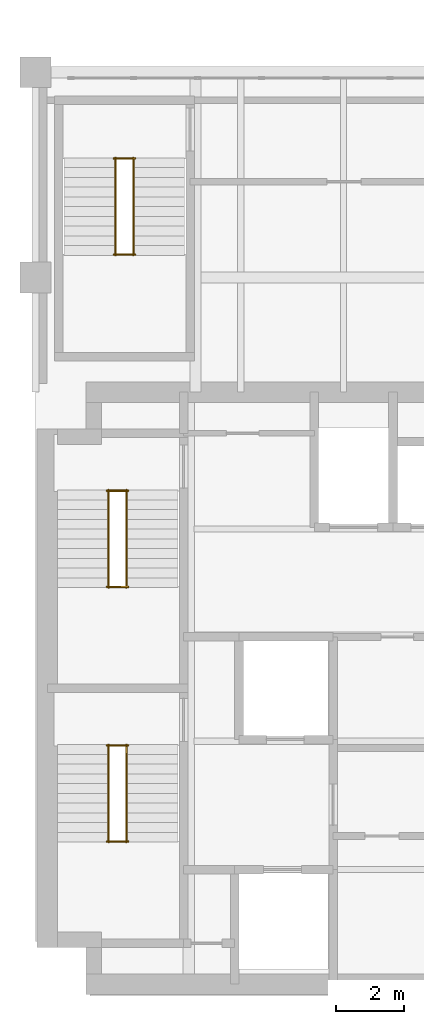
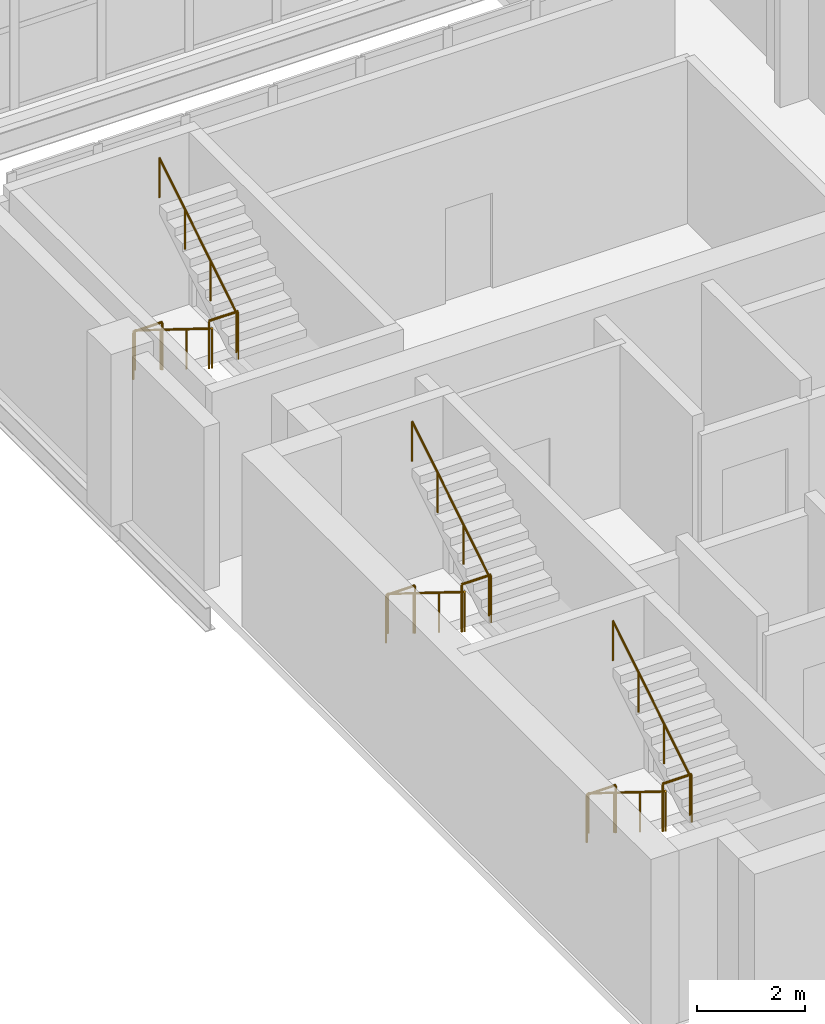
# One storey, part 9 of 9: 12 railings.
"""IFC4 building model written with IfcOpenShell, lengths in metres."""

from ifc_helpers import new_model, si_unit, direction, frame, origin, origin_2d, place, context, subcontext, project, spatial, circle, extrude, material, type_object, element, save


model = new_model("IFC4")

# Units and contexts
model_context = context("Model", 3, precision=1e-05, world=origin(), true_north=direction((0.0, 1.0)))
body_context = subcontext(model_context, "Body", "Model", "MODEL_VIEW")
ifc_project = project(units=[si_unit("LENGTHUNIT", "METRE"), si_unit("AREAUNIT", "SQUARE_METRE"), si_unit("VOLUMEUNIT", "CUBIC_METRE"), si_unit("PLANEANGLEUNIT", "RADIAN"), si_unit("MASSUNIT", "GRAM", prefix="KILO")], contexts=[model_context])

# Site, building, storey
site_placement = place(None, origin())
site = spatial("IfcSite", under=ifc_project, at=site_placement, CompositionType="ELEMENT")
building_placement = place(site_placement, origin())
building = spatial("IfcBuilding", under=site, at=building_placement, Name="Mawjdan Bourse Tower", CompositionType="ELEMENT")
storey_placement = place(building_placement, frame((0.0, 0.0, 195.60009765625)))
storey = spatial("IfcBuildingStorey", under=building, at=storey_placement, Name="L47", CompositionType="ELEMENT", Elevation=195.60009765625)

# Railings
ifc_material_1 = material(Name="Structural Steel S355", Category="steel")
railing_type_1 = type_object("IfcRailingType", Name="RLG-GRD-1100", PredefinedType="GUARDRAIL", material=ifc_material_1)
for number, where, name in (
    (1, (8.090087890625, 7.52001953125, 1.949951171875), "L47 ST1 Landing Guardrail GL-MID"),
    (2, (8.090087890625, 10.330078125, 0.0), "L47 ST1 Landing Guardrail GL-BOT"),
    (3, (8.090087890625, 14.9599609375, 1.949951171875), "L47 ST2 Landing Guardrail GL-MID"),
    (4, (8.090087890625, 17.77001953125, 0.0), "L47 ST2 Landing Guardrail GL-BOT"),
    (5, (8.2900390625, 24.669921875, 1.949951171875), "L47 ST3 Landing Guardrail GL-MID"),
    (6, (8.2900390625, 27.47998046875, 0.0), "L47 ST3 Landing Guardrail GL-BOT"),
):
    element("IfcRailing", number, at=place(storey_placement, frame(where)), inside=storey, type_object=railing_type_1, Name=name, PredefinedType="GUARDRAIL", context=body_context, shape_type="SweptSolid", body=[
        extrude(circle(Radius=0.02490234375, at=origin_2d()), frame((0.0, 0.0, 1.0751953125), z_axis=(1.0, 0.0, 0.0), x_axis=(0.0, 1.0, 0.0)), (0.0, 0.0, 1.0), 0.619873046875),
        extrude(circle(Radius=0.02099609375, at=origin_2d()), origin(), (0.0, 0.0, 1.0), 1.050048828125),
        extrude(circle(Radius=0.02099609375, at=origin_2d()), frame((0.619873046875, 0.0, 0.0)), (0.0, 0.0, 1.0), 1.050048828125),
    ])
ifc_material_2 = material(Name="Brushed Stainless Steel", Category="steel")
railing_type_2 = type_object("IfcRailingType", Name="RLG-HND-920", PredefinedType="HANDRAIL", material=ifc_material_2)
railing_1_placement = place(storey_placement, frame((8.139892578125, 10.35009765625, 0.17724609375)))
element("IfcRailing", 7, at=railing_1_placement, inside=storey, type_object=railing_type_2, Name="L47 ST1 Flight Handrail HR1", PredefinedType="HANDRAIL", context=body_context, shape_type="SweptSolid", body=[
    extrude(circle(Radius=0.0224609375, at=origin_2d()), frame((0.0, 0.0, 0.8974609375), z_axis=(0.0, -0.849148672731, 0.528153890072), x_axis=(1.0, 0.0, 0.0)), (0.0, 0.0, 1.0), 3.3564453125),
    extrude(circle(Radius=0.01904296875, at=origin_2d()), origin(), (0.0, 0.0, 1.0), 0.875),
    extrude(circle(Radius=0.01904296875, at=origin_2d()), frame((0.0, -0.949951171875, 0.5908203125)), (0.0, 0.0, 1.0), 0.875),
    extrude(circle(Radius=0.01904296875, at=origin_2d()), frame((0.0, -1.900146484375, 1.181884765625)), (0.0, 0.0, 1.0), 0.875),
    extrude(circle(Radius=0.01904296875, at=origin_2d()), frame((0.0, -2.85009765625, 1.772705078125)), (0.0, 0.0, 1.0), 0.875),
])
railing_2_placement = place(storey_placement, frame((8.659912109375, 7.5, 2.127197265625)))
element("IfcRailing", 8, at=railing_2_placement, inside=storey, type_object=railing_type_2, Name="L47 ST1 Flight Handrail HR2", PredefinedType="HANDRAIL", context=body_context, shape_type="SweptSolid", body=[
    extrude(circle(Radius=0.0224609375, at=origin_2d()), frame((0.0, 0.0, 0.8974609375), z_axis=(0.0, 0.849148672731, 0.528153890072), x_axis=(-1.0, 0.0, 0.0)), (0.0, 0.0, 1.0), 3.3564453125),
    extrude(circle(Radius=0.01904296875, at=origin_2d()), origin(), (0.0, 0.0, 1.0), 0.875),
    extrude(circle(Radius=0.01904296875, at=origin_2d()), frame((0.0, 0.949951171875, 0.5908203125)), (0.0, 0.0, 1.0), 0.875),
    extrude(circle(Radius=0.01904296875, at=origin_2d()), frame((0.0, 1.900146484375, 1.181884765625)), (0.0, 0.0, 1.0), 0.875),
    extrude(circle(Radius=0.01904296875, at=origin_2d()), frame((0.0, 2.85009765625, 1.772705078125)), (0.0, 0.0, 1.0), 0.875),
])
railing_3_placement = place(storey_placement, frame((8.139892578125, 17.7900390625, 0.17724609375)))
element("IfcRailing", 9, at=railing_3_placement, inside=storey, type_object=railing_type_2, Name="L47 ST2 Flight Handrail HR1", PredefinedType="HANDRAIL", context=body_context, shape_type="SweptSolid", body=[
    extrude(circle(Radius=0.0224609375, at=origin_2d()), frame((0.0, 0.0, 0.8974609375), z_axis=(0.0, -0.849148672731, 0.528153890072), x_axis=(1.0, 0.0, 0.0)), (0.0, 0.0, 1.0), 3.3564453125),
    extrude(circle(Radius=0.01904296875, at=origin_2d()), origin(), (0.0, 0.0, 1.0), 0.875),
    extrude(circle(Radius=0.01904296875, at=origin_2d()), frame((0.0, -0.949951171875, 0.5908203125)), (0.0, 0.0, 1.0), 0.875),
    extrude(circle(Radius=0.01904296875, at=origin_2d()), frame((0.0, -1.900146484375, 1.181884765625)), (0.0, 0.0, 1.0), 0.875),
    extrude(circle(Radius=0.01904296875, at=origin_2d()), frame((0.0, -2.85009765625, 1.772705078125)), (0.0, 0.0, 1.0), 0.875),
])
railing_4_placement = place(storey_placement, frame((8.659912109375, 14.93994140625, 2.127197265625)))
element("IfcRailing", 10, at=railing_4_placement, inside=storey, type_object=railing_type_2, Name="L47 ST2 Flight Handrail HR2", PredefinedType="HANDRAIL", context=body_context, shape_type="SweptSolid", body=[
    extrude(circle(Radius=0.0224609375, at=origin_2d()), frame((0.0, 0.0, 0.8974609375), z_axis=(0.0, 0.849148672731, 0.528153890072), x_axis=(-1.0, 0.0, 0.0)), (0.0, 0.0, 1.0), 3.3564453125),
    extrude(circle(Radius=0.01904296875, at=origin_2d()), origin(), (0.0, 0.0, 1.0), 0.875),
    extrude(circle(Radius=0.01904296875, at=origin_2d()), frame((0.0, 0.949951171875, 0.5908203125)), (0.0, 0.0, 1.0), 0.875),
    extrude(circle(Radius=0.01904296875, at=origin_2d()), frame((0.0, 1.900146484375, 1.181884765625)), (0.0, 0.0, 1.0), 0.875),
    extrude(circle(Radius=0.01904296875, at=origin_2d()), frame((0.0, 2.85009765625, 1.772705078125)), (0.0, 0.0, 1.0), 0.875),
])
railing_5_placement = place(storey_placement, frame((8.340087890625, 27.5, 0.17724609375)))
element("IfcRailing", 11, at=railing_5_placement, inside=storey, type_object=railing_type_2, Name="L47 ST3 Flight Handrail HR1", PredefinedType="HANDRAIL", context=body_context, shape_type="SweptSolid", body=[
    extrude(circle(Radius=0.0224609375, at=origin_2d()), frame((0.0, 0.0, 0.8974609375), z_axis=(0.0, -0.849148672731, 0.528153890072), x_axis=(1.0, 0.0, 0.0)), (0.0, 0.0, 1.0), 3.3564453125),
    extrude(circle(Radius=0.01904296875, at=origin_2d()), origin(), (0.0, 0.0, 1.0), 0.875),
    extrude(circle(Radius=0.01904296875, at=origin_2d()), frame((0.0, -0.949951171875, 0.5908203125)), (0.0, 0.0, 1.0), 0.875),
    extrude(circle(Radius=0.01904296875, at=origin_2d()), frame((0.0, -1.900146484375, 1.181884765625)), (0.0, 0.0, 1.0), 0.875),
    extrude(circle(Radius=0.01904296875, at=origin_2d()), frame((0.0, -2.85009765625, 1.772705078125)), (0.0, 0.0, 1.0), 0.875),
])
railing_6_placement = place(storey_placement, frame((8.860107421875, 24.64990234375, 2.127197265625)))
element("IfcRailing", 12, at=railing_6_placement, inside=storey, type_object=railing_type_2, Name="L47 ST3 Flight Handrail HR2", PredefinedType="HANDRAIL", context=body_context, shape_type="SweptSolid", body=[
    extrude(circle(Radius=0.0224609375, at=origin_2d()), frame((0.0, 0.0, 0.8974609375), z_axis=(0.0, 0.849148672731, 0.528153890072), x_axis=(-1.0, 0.0, 0.0)), (0.0, 0.0, 1.0), 3.3564453125),
    extrude(circle(Radius=0.01904296875, at=origin_2d()), origin(), (0.0, 0.0, 1.0), 0.875),
    extrude(circle(Radius=0.01904296875, at=origin_2d()), frame((0.0, 0.949951171875, 0.5908203125)), (0.0, 0.0, 1.0), 0.875),
    extrude(circle(Radius=0.01904296875, at=origin_2d()), frame((0.0, 1.900146484375, 1.181884765625)), (0.0, 0.0, 1.0), 0.875),
    extrude(circle(Radius=0.01904296875, at=origin_2d()), frame((0.0, 2.85009765625, 1.772705078125)), (0.0, 0.0, 1.0), 0.875),
])

save(model, "model.ifc")
